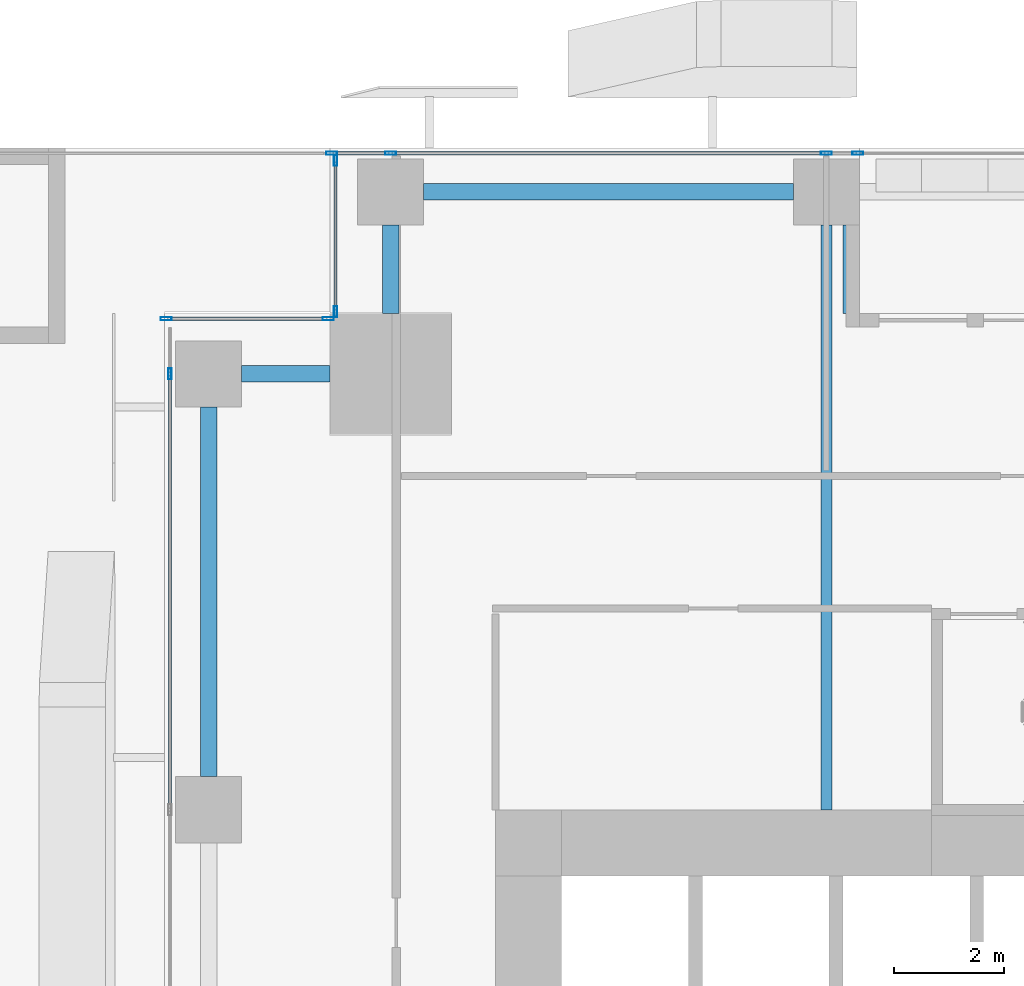
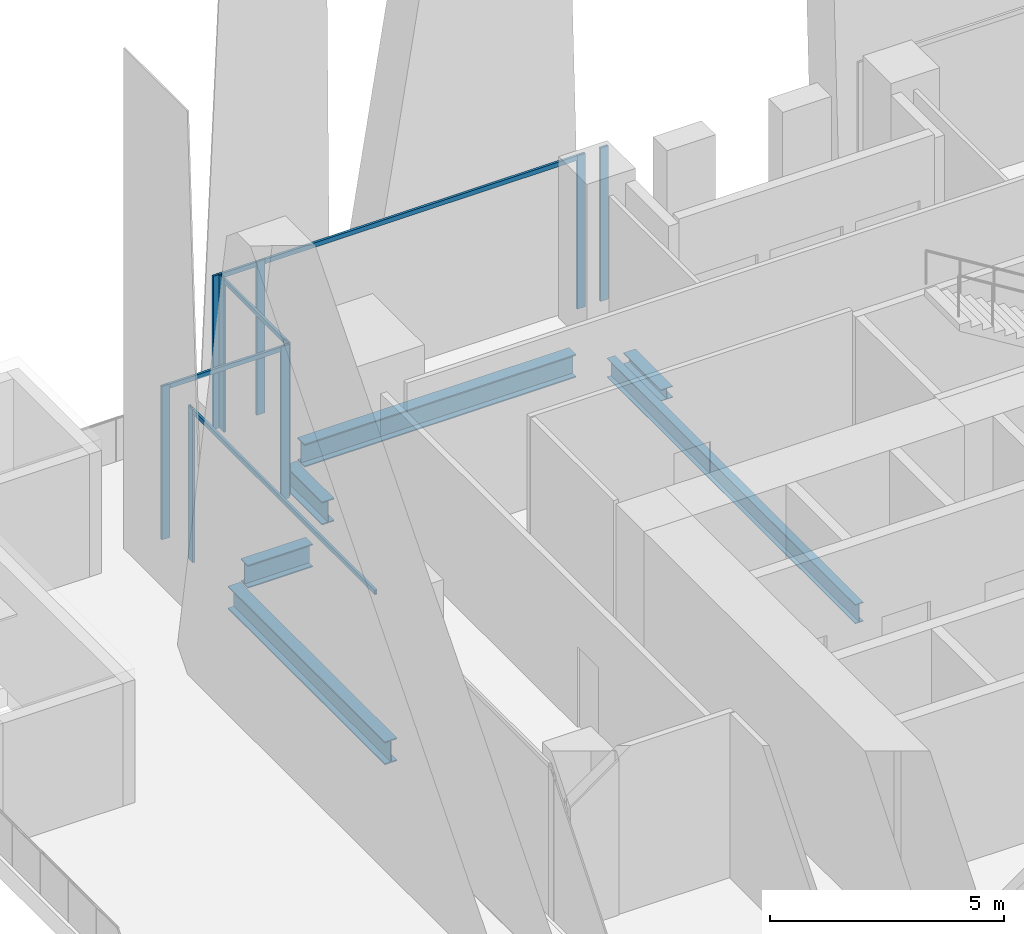
# One storey, part 15 of 46: 14 members, 6 beams, 4 elements without a shape of their own.
"""IFC4 building model written with IfcOpenShell, lengths in metres."""

from ifc_helpers import new_model, si_unit, direction, frame, origin, origin_2d, place, context, subcontext, project, spatial, hollow_rectangle, i_section, extrude, source, transform, mapped, material, material_profile, profile_set, type_object, element, aggregate, save


model = new_model("IFC4")

# Units and contexts
model_context = context("Model", 3, precision=1e-05, world=origin(), true_north=direction((0.0, 1.0)))
body_context = subcontext(model_context, "Body", "Model", "MODEL_VIEW")
ifc_project = project(units=[si_unit("LENGTHUNIT", "METRE"), si_unit("AREAUNIT", "SQUARE_METRE"), si_unit("VOLUMEUNIT", "CUBIC_METRE"), si_unit("PLANEANGLEUNIT", "RADIAN"), si_unit("MASSUNIT", "GRAM", prefix="KILO")], contexts=[model_context])

# Site, building, storey
site_placement = place(None, origin())
site = spatial("IfcSite", under=ifc_project, at=site_placement, CompositionType="ELEMENT")
building_placement = place(site_placement, origin())
building = spatial("IfcBuilding", under=site, at=building_placement, Name="Khomas Fold Tower", CompositionType="ELEMENT")
storey_placement = place(building_placement, frame((0.0, 0.0, 33.0)))
storey = spatial("IfcBuildingStorey", under=building, at=storey_placement, Name="L06", CompositionType="ELEMENT", Elevation=33.0)

# Beams
ifc_material_1 = material(Name="Steel S355", Category="steel")
ifc_material_profile_1 = material_profile(ifc_material_1, i_section(OverallWidth=0.199951171875, OverallDepth=0.5, WebThickness=0.01025390625, FlangeThickness=0.01611328125, at=origin_2d()), Name="IPE 500")
ifc_profile_set_1 = profile_set([ifc_material_profile_1], Name="Steel S355")
beam_type_1 = type_object("IfcBeamType", Name="IPE 500 beam JB5", PredefinedType="BEAM", material=ifc_profile_set_1)
shared_shape_1 = source(origin(), body_context, "Body", "SweptSolid", [
    extrude(i_section(OverallWidth=0.199951171875, OverallDepth=0.5, WebThickness=0.01025390625, FlangeThickness=0.01611328125, at=origin_2d()), origin(), (0.0, 0.0, 1.0), 10.60009765625),
])
beam_1_placement = place(storey_placement, frame((12.0, 42.0, -0.75), z_axis=(0.0, 1.0, 0.0), x_axis=(-1.0, 0.0, 0.0)))
element("IfcBeam", 1, at=beam_1_placement, inside=storey, type_object=beam_type_1, Name="JB5", PredefinedType="BEAM", context=body_context, shape_type="MappedRepresentation", body=[
    mapped(shared_shape_1, transform((0.0, 0.0, 0.0))),
])
ifc_material_2 = material(Name="Steel S355", Category="steel")
ifc_material_profile_2 = material_profile(ifc_material_2, i_section(OverallWidth=0.300048828125, OverallDepth=0.60009765625, WebThickness=0.015380859375, FlangeThickness=0.030029296875, at=origin_2d()), Name="HE 600 B")
ifc_profile_set_2 = profile_set([ifc_material_profile_2], Name="Steel S355")
beam_type_2 = type_object("IfcBeamType", Name="HE 600 B spandrel SB1", PredefinedType="SPANDREL", material=ifc_profile_set_2)
shared_shape_2 = source(origin(), body_context, "Body", "SweptSolid", [
    extrude(i_section(OverallWidth=0.300048828125, OverallDepth=0.60009765625, WebThickness=0.015380859375, FlangeThickness=0.030029296875, at=origin_2d()), origin(), (0.0, 0.0, 1.0), 6.699951171875),
])
for number, where, z_axis, x_axis, name in (
    (2, (4.699951171875, 53.199951171875, -0.800048828125), (1.0, 0.0, 0.0), (0.0, 1.0, 0.0), "SB1"),
    (3, (0.800048828125, 42.60009765625, -0.800048828125), (0.0, 1.0, 0.0), (-1.0, 0.0, 0.0), "SB1"),
):
    element("IfcBeam", number, at=place(storey_placement, frame(where, z_axis=z_axis, x_axis=x_axis)), inside=storey, type_object=beam_type_2, Name=name, PredefinedType="SPANDREL", context=body_context, shape_type="MappedRepresentation", body=[
        mapped(shared_shape_2, transform((0.0, 0.0, 0.0))),
    ])
shared_shape_3 = source(origin(), body_context, "Body", "SweptSolid", [
    extrude(i_section(OverallWidth=0.300048828125, OverallDepth=0.60009765625, WebThickness=0.015380859375, FlangeThickness=0.030029296875, at=origin_2d()), origin(), (0.0, 0.0, 1.0), 1.60009765625),
])
for number, where, z_axis, x_axis, name in (
    (4, (4.10009765625, 51.0, -0.800048828125), (0.0, 1.0, 0.0), (-1.0, 0.0, 0.0), "SB1"),
    (5, (1.39990234375, 49.89990234375, -0.800048828125), (1.0, 0.0, 0.0), (0.0, 1.0, 0.0), "SB1"),
):
    element("IfcBeam", number, at=place(storey_placement, frame(where, z_axis=z_axis, x_axis=x_axis)), inside=storey, type_object=beam_type_2, Name=name, PredefinedType="SPANDREL", context=body_context, shape_type="MappedRepresentation", body=[
        mapped(shared_shape_3, transform((0.0, 0.0, 0.0))),
    ])
ifc_material_3 = material(Name="Steel S355", Category="steel")
ifc_material_profile_3 = material_profile(ifc_material_3, i_section(OverallWidth=0.300048828125, OverallDepth=0.300048828125, WebThickness=0.010986328125, FlangeThickness=0.01904296875, at=origin_2d()), Name="HE 300 B")
ifc_profile_set_3 = profile_set([ifc_material_profile_3], Name="Steel S355")
beam_type_3 = type_object("IfcBeamType", Name="HE 300 B beam BB1", PredefinedType="BEAM", material=ifc_profile_set_3)
shared_shape_4 = source(origin(), body_context, "Body", "SweptSolid", [
    extrude(i_section(OverallWidth=0.300048828125, OverallDepth=0.300048828125, WebThickness=0.010986328125, FlangeThickness=0.01904296875, at=origin_2d()), origin(), (0.0, 0.0, 1.0), 1.60009765625),
])
beam_2_placement = place(storey_placement, frame((12.449951171875, 51.0, -0.64990234375), z_axis=(0.0, 1.0, 0.0), x_axis=(-1.0, 0.0, 0.0)))
element("IfcBeam", 6, at=beam_2_placement, inside=storey, type_object=beam_type_3, Name="BB1", PredefinedType="BEAM", context=body_context, shape_type="MappedRepresentation", body=[
    mapped(shared_shape_4, transform((0.0, 0.0, 0.0))),
])

# Curtain wall, members
ifc_material_4 = material(Name="Aluminium framed double glazing", Category="aluminium")
curtain_wall_type = type_object("IfcCurtainWallType", Name="SK-Unitised clear-glass wall, growing floors CW1", PredefinedType="NOTDEFINED", material=ifc_material_4)
curtain_wall_1_placement = place(storey_placement, origin())
curtain_wall_1 = element("IfcCurtainWall", 7, at=curtain_wall_1_placement, inside=storey, type_object=curtain_wall_type, Name="CW1 run L06 06-1", PredefinedType="NOTDEFINED")
ifc_material_5 = material(Name="Aluminium", Category="aluminium")
ifc_material_profile_4 = material_profile(ifc_material_5, hollow_rectangle(XDim=0.06005859375, YDim=0.199951171875, WallThickness=0.00390625, at=origin_2d()), Name="SK-Unitised clear-glass wall, growing floors mullion CW1-M")
ifc_profile_set_4 = profile_set([ifc_material_profile_4], Name="Aluminium")
member_type_1 = type_object("IfcMemberType", Name="SK-Unitised clear-glass wall, growing floors mullion CW1-M", PredefinedType="MULLION", material=ifc_profile_set_4)
shared_shape_5 = source(origin(), body_context, "Body", "SweptSolid", [
    extrude(hollow_rectangle(XDim=0.06005859375, YDim=0.199951171875, WallThickness=0.00390625, at=origin_2d()), origin(), (0.0, 0.0, 1.0), 4.0),
])
member_1_placement = place(storey_placement, frame((12.570068359375, 53.89990234375, 0.0), z_axis=(0.0, 0.0, 1.0), x_axis=(0.0, -1.0, 0.0)))
member_1 = element("IfcMember", 8, at=member_1_placement, type_object=member_type_1, Name="CW1 mullion 1", PredefinedType="MULLION", context=body_context, shape_type="MappedRepresentation", body=[
    mapped(shared_shape_5, transform((0.0, 0.0, 0.0))),
])
member_2_placement = place(storey_placement, frame((12.0, 53.89990234375, 0.0), z_axis=(0.0, 0.0, 1.0), x_axis=(0.0, -1.0, 0.0)))
member_2 = element("IfcMember", 9, at=member_2_placement, type_object=member_type_1, Name="CW1 mullion 2", PredefinedType="MULLION", context=body_context, shape_type="MappedRepresentation", body=[
    mapped(shared_shape_5, transform((0.0, 0.0, 0.0))),
])
member_3_placement = place(storey_placement, frame((4.10009765625, 53.89990234375, 0.0), z_axis=(0.0, 0.0, 1.0), x_axis=(0.0, -1.0, 0.0)))
member_3 = element("IfcMember", 10, at=member_3_placement, type_object=member_type_1, Name="CW1 mullion 3", PredefinedType="MULLION", context=body_context, shape_type="MappedRepresentation", body=[
    mapped(shared_shape_5, transform((0.0, 0.0, 0.0))),
])
member_4_placement = place(storey_placement, frame((3.030029296875, 53.89990234375, 0.0), z_axis=(0.0, 0.0, 1.0), x_axis=(0.0, -1.0, 0.0)))
member_4 = element("IfcMember", 11, at=member_4_placement, type_object=member_type_1, Name="CW1 mullion 4", PredefinedType="MULLION", context=body_context, shape_type="MappedRepresentation", body=[
    mapped(shared_shape_5, transform((0.0, 0.0, 0.0))),
])

curtain_wall_2_placement = place(storey_placement, origin())
curtain_wall_2 = element("IfcCurtainWall", 12, at=curtain_wall_2_placement, inside=storey, type_object=curtain_wall_type, Name="CW1 corner return L06 07", PredefinedType="NOTDEFINED")
member_5_placement = place(storey_placement, frame((3.10009765625, 53.77001953125, 0.0), z_axis=(0.0, 0.0, 1.0), x_axis=(1.0, 0.0, 0.0)))
member_5 = element("IfcMember", 13, at=member_5_placement, type_object=member_type_1, Name="CW1 mullion 1", PredefinedType="MULLION", context=body_context, shape_type="MappedRepresentation", body=[
    mapped(shared_shape_5, transform((0.0, 0.0, 0.0))),
])
member_6_placement = place(storey_placement, frame((3.10009765625, 51.030029296875, 0.0), z_axis=(0.0, 0.0, 1.0), x_axis=(1.0, 0.0, 0.0)))
member_6 = element("IfcMember", 14, at=member_6_placement, type_object=member_type_1, Name="CW1 mullion 2", PredefinedType="MULLION", context=body_context, shape_type="MappedRepresentation", body=[
    mapped(shared_shape_5, transform((0.0, 0.0, 0.0))),
])

curtain_wall_3_placement = place(storey_placement, origin())
curtain_wall_3 = element("IfcCurtainWall", 15, at=curtain_wall_3_placement, inside=storey, type_object=curtain_wall_type, Name="CW1 corner return L06 08", PredefinedType="NOTDEFINED")
member_7_placement = place(storey_placement, frame((2.969970703125, 50.89990234375, 0.0), z_axis=(0.0, 0.0, 1.0), x_axis=(0.0, -1.0, 0.0)))
member_7 = element("IfcMember", 16, at=member_7_placement, type_object=member_type_1, Name="CW1 mullion 1", PredefinedType="MULLION", context=body_context, shape_type="MappedRepresentation", body=[
    mapped(shared_shape_5, transform((0.0, 0.0, 0.0))),
])
member_8_placement = place(storey_placement, frame((0.030029296875, 50.89990234375, 0.0), z_axis=(0.0, 0.0, 1.0), x_axis=(0.0, -1.0, 0.0)))
member_8 = element("IfcMember", 17, at=member_8_placement, type_object=member_type_1, Name="CW1 mullion 2", PredefinedType="MULLION", context=body_context, shape_type="MappedRepresentation", body=[
    mapped(shared_shape_5, transform((0.0, 0.0, 0.0))),
])

# Curtain wall, member
curtain_wall_4_placement = place(storey_placement, origin())
curtain_wall_4 = element("IfcCurtainWall", 18, at=curtain_wall_4_placement, inside=storey, type_object=curtain_wall_type, Name="CW1 run L06 09-0", PredefinedType="NOTDEFINED")
member_9_placement = place(storey_placement, frame((0.10009765625, 49.89990234375, 0.0), z_axis=(0.0, 0.0, 1.0), x_axis=(1.0, 0.0, 0.0)))
member_9 = element("IfcMember", 19, at=member_9_placement, type_object=member_type_1, Name="CW1 mullion 2", PredefinedType="MULLION", context=body_context, shape_type="MappedRepresentation", body=[
    mapped(shared_shape_5, transform((0.0, 0.0, 0.0))),
])

# Member
ifc_material_6 = material(Name="Aluminium", Category="aluminium")
ifc_material_profile_5 = material_profile(ifc_material_6, hollow_rectangle(XDim=0.06005859375, YDim=0.1201171875, WallThickness=0.00390625, at=origin_2d()), Name="SK-Unitised clear-glass wall, growing floors transom CW1-T")
ifc_profile_set_5 = profile_set([ifc_material_profile_5], Name="Aluminium")
member_type_2 = type_object("IfcMemberType", Name="SK-Unitised clear-glass wall, growing floors transom CW1-T", PredefinedType="USERDEFINED", material=ifc_profile_set_5)
shared_shape_6 = source(origin(), body_context, "Body", "SweptSolid", [
    extrude(hollow_rectangle(XDim=0.06005859375, YDim=0.1201171875, WallThickness=0.00390625, at=origin_2d()), origin(), (0.0, 0.0, 1.0), 7.840087890625),
])
member_10_placement = place(storey_placement, frame((11.969970703125, 53.89990234375, 3.93994140625), z_axis=(-1.0, 0.0, 0.0), x_axis=(0.0, -1.0, 0.0)))
member_10 = element("IfcMember", 20, at=member_10_placement, type_object=member_type_2, Name="CW1 transom 2", ObjectType="TRANSOM", PredefinedType="USERDEFINED", context=body_context, shape_type="MappedRepresentation", body=[
    mapped(shared_shape_6, transform((0.0, 0.0, 0.0))),
])

member_11_placement = place(storey_placement, frame((0.10009765625, 49.8701171875, 3.93994140625), z_axis=(0.0, -1.0, 0.0), x_axis=(1.0, 0.0, 0.0)))
member_11 = element("IfcMember", 21, at=member_11_placement, type_object=member_type_2, Name="CW1 transom 2", ObjectType="TRANSOM", PredefinedType="USERDEFINED", context=body_context, shape_type="MappedRepresentation", body=[
    mapped(shared_shape_6, transform((0.0, 0.0, 0.0))),
])

aggregate(curtain_wall_4, [member_9, member_11])

shared_shape_7 = source(origin(), body_context, "Body", "SweptSolid", [
    extrude(hollow_rectangle(XDim=0.06005859375, YDim=0.1201171875, WallThickness=0.00390625, at=origin_2d()), origin(), (0.0, 0.0, 1.0), 1.010009765625),
])
member_12_placement = place(storey_placement, frame((4.070068359375, 53.89990234375, 3.93994140625), z_axis=(-1.0, 0.0, 0.0), x_axis=(0.0, -1.0, 0.0)))
member_12 = element("IfcMember", 22, at=member_12_placement, type_object=member_type_2, Name="CW1 transom 3", ObjectType="TRANSOM", PredefinedType="USERDEFINED", context=body_context, shape_type="MappedRepresentation", body=[
    mapped(shared_shape_7, transform((0.0, 0.0, 0.0))),
])

aggregate(curtain_wall_1, [member_1, member_2, member_3, member_4, member_10, member_12])

shared_shape_8 = source(origin(), body_context, "Body", "SweptSolid", [
    extrude(hollow_rectangle(XDim=0.06005859375, YDim=0.1201171875, WallThickness=0.00390625, at=origin_2d()), origin(), (0.0, 0.0, 1.0), 2.679931640625),
])
member_13_placement = place(storey_placement, frame((3.10009765625, 53.739990234375, 3.93994140625), z_axis=(0.0, -1.0, 0.0), x_axis=(1.0, 0.0, 0.0)))
member_13 = element("IfcMember", 23, at=member_13_placement, type_object=member_type_2, Name="CW1 transom 1", ObjectType="TRANSOM", PredefinedType="USERDEFINED", context=body_context, shape_type="MappedRepresentation", body=[
    mapped(shared_shape_8, transform((0.0, 0.0, 0.0))),
])

aggregate(curtain_wall_2, [member_5, member_6, member_13])

shared_shape_9 = source(origin(), body_context, "Body", "SweptSolid", [
    extrude(hollow_rectangle(XDim=0.06005859375, YDim=0.1201171875, WallThickness=0.00390625, at=origin_2d()), origin(), (0.0, 0.0, 1.0), 2.8798828125),
])
member_14_placement = place(storey_placement, frame((2.93994140625, 50.89990234375, 3.93994140625), z_axis=(-1.0, 0.0, 0.0), x_axis=(0.0, -1.0, 0.0)))
member_14 = element("IfcMember", 24, at=member_14_placement, type_object=member_type_2, Name="CW1 transom 1", ObjectType="TRANSOM", PredefinedType="USERDEFINED", context=body_context, shape_type="MappedRepresentation", body=[
    mapped(shared_shape_9, transform((0.0, 0.0, 0.0))),
])

aggregate(curtain_wall_3, [member_7, member_8, member_14])

save(model, "model.ifc")
